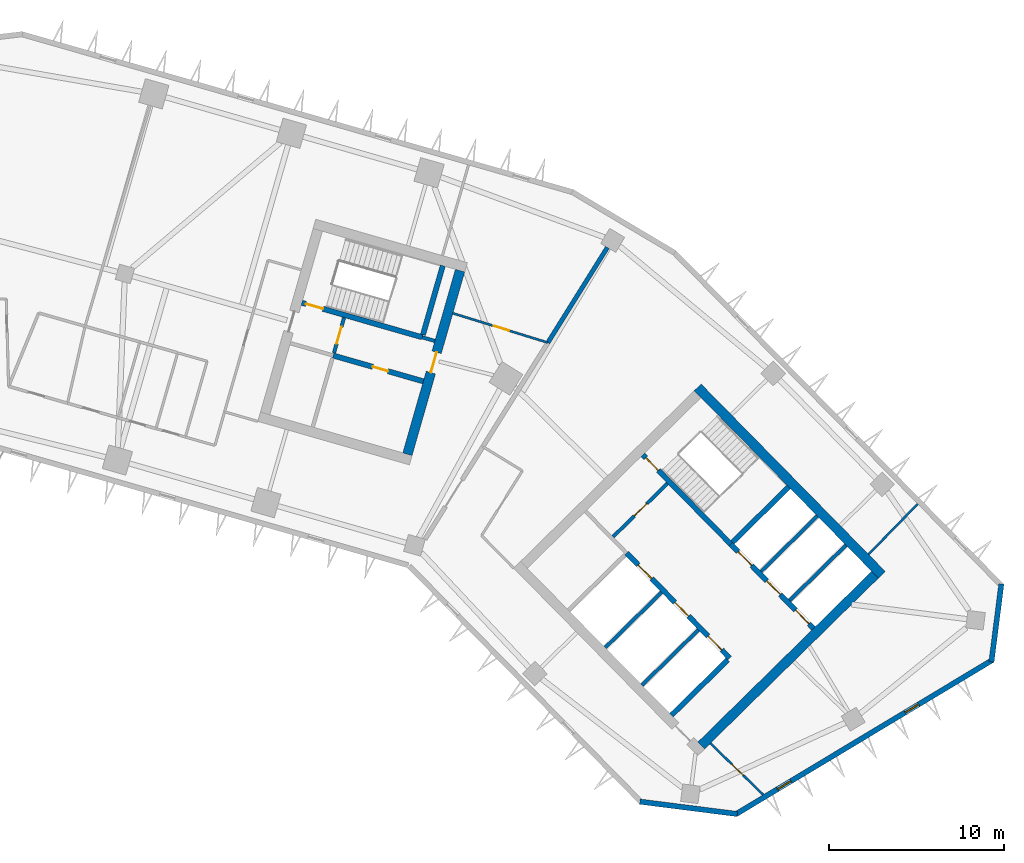
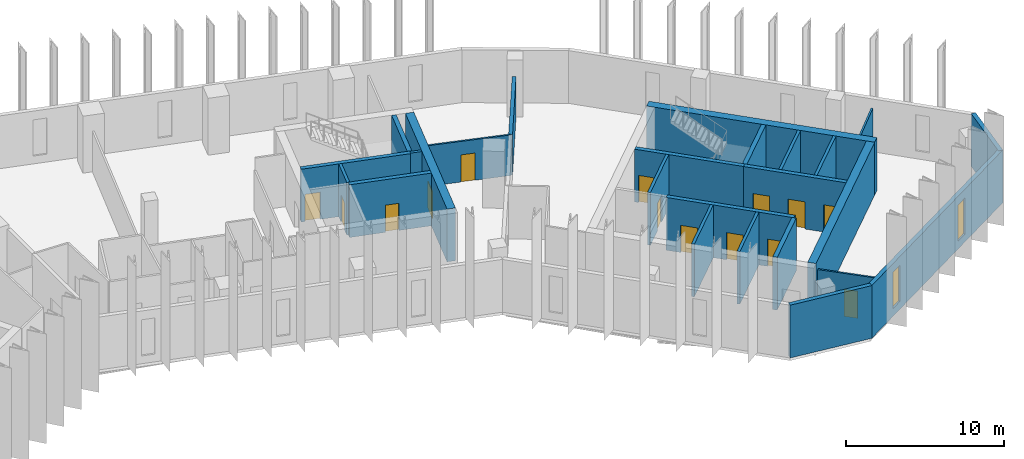
# One storey, part 6 of 11: 25 walls, 14 doors, 2 windows, 16 openings.
"""IFC4 building model written with IfcOpenShell, lengths in metres."""

from ifc_helpers import new_model, si_unit, direction, frame, frame_2d, origin, place, context, subcontext, project, spatial, rectangle, extrude, material, layer, layer_set, type_object, element, fill, save


model = new_model("IFC4")

# Units and contexts
model_context = context("Model", 3, precision=1e-05, world=origin(), true_north=direction((0.0, 1.0)))
body_context = subcontext(model_context, "Body", "Model", "MODEL_VIEW")
ifc_project = project(units=[si_unit("LENGTHUNIT", "METRE"), si_unit("AREAUNIT", "SQUARE_METRE"), si_unit("VOLUMEUNIT", "CUBIC_METRE"), si_unit("PLANEANGLEUNIT", "RADIAN"), si_unit("MASSUNIT", "GRAM", prefix="KILO")], contexts=[model_context])

# Site, building, storey
site_placement = place(None, origin())
site = spatial("IfcSite", under=ifc_project, at=site_placement, CompositionType="ELEMENT")
building_placement = place(site_placement, origin())
building = spatial("IfcBuilding", under=site, at=building_placement, Name="Binnacle Exchange Tower", CompositionType="ELEMENT")
storey_placement = place(building_placement, frame((0.0, 0.0, 114.699951171875)))
storey = spatial("IfcBuildingStorey", under=building, at=storey_placement, Name="L23", CompositionType="ELEMENT", Elevation=114.699951171875)

# Wall, openings, doors
ifc_material_1 = material(Name="Concrete C70/85", Category="concrete")
ifc_layer_1 = layer(ifc_material_1, 0.300048828125)
ifc_layer_set_1 = layer_set([ifc_layer_1], Name="Core wall - front 300")
wall_type_1 = type_object("IfcWallType", Name="Core wall - front 300", PredefinedType="SOLIDWALL", material=ifc_layer_set_1)
wall_1_placement = place(storey_placement, frame((37.8740234375, 41.41552734375, 0.0), z_axis=(0.0, 0.0, 1.0), x_axis=(0.700918271237, -0.71324159795, 0.0)))
wall_1 = element("IfcWall", 1, at=wall_1_placement, inside=storey, type_object=wall_type_1, Name="Core wall CRWB3", PredefinedType="SOLIDWALL", context=body_context, shape_type="SweptSolid", body=[
    extrude(rectangle(XDim=8.39990234375, YDim=0.300048828125, at=frame_2d((4.199951171875, 0.0))), origin(), (0.0, 0.0, 1.0), 4.080078125),
])
opening_1_placement = place(wall_1_placement, frame((0.949951171875, 0.0, 0.0)))
opening_1 = element("IfcOpeningElement", 2, at=opening_1_placement, cuts=wall_1, Name="Opening LD15", PredefinedType="OPENING", context=body_context, shape_type="SweptSolid", body=[
    extrude(rectangle(XDim=1.10009765625, YDim=2.10009765625, at=frame_2d((0.550048828125, 1.050048828125))), frame((0.0, 0.159912109375, 0.0), z_axis=(0.0, -1.0, 0.0), x_axis=(1.0, 0.0, 0.0)), (0.0, 0.0, 1.0), 0.320068359375),
])
opening_2_placement = place(wall_1_placement, frame((3.949951171875, 0.0, 0.0)))
opening_2 = element("IfcOpeningElement", 3, at=opening_2_placement, cuts=wall_1, Name="Opening LD16", PredefinedType="OPENING", context=body_context, shape_type="SweptSolid", body=[
    extrude(rectangle(XDim=1.10009765625, YDim=2.10009765625, at=frame_2d((0.550048828125, 1.050048828125))), frame((0.0, 0.159912109375, 0.0), z_axis=(0.0, -1.0, 0.0), x_axis=(1.0, 0.0, 0.0)), (0.0, 0.0, 1.0), 0.320068359375),
])
opening_3_placement = place(wall_1_placement, frame((6.64990234375, 0.0, 0.0)))
opening_3 = element("IfcOpeningElement", 4, at=opening_3_placement, cuts=wall_1, Name="Opening LD4", PredefinedType="OPENING", context=body_context, shape_type="SweptSolid", body=[
    extrude(rectangle(XDim=1.10009765625, YDim=2.10009765625, at=frame_2d((0.550048828125, 1.050048828125))), frame((0.0, 0.159912109375, 0.0), z_axis=(0.0, -1.0, 0.0), x_axis=(1.0, 0.0, 0.0)), (0.0, 0.0, 1.0), 0.320068359375),
])
ifc_material_2 = material(Name="Steel door leaf", Category="steel")
door_type_1 = type_object("IfcDoorType", Name="Fire door - lift landing 1100", OperationType="NOTDEFINED", PredefinedType="DOOR", material=ifc_material_2)
door_1_placement = place(opening_1_placement, origin())
door_1 = element("IfcDoor", 5, at=door_1_placement, inside=storey, type_object=door_type_1, Name="Landing door LD15 L23", OperationType="DOUBLE_DOOR_SLIDING", OverallHeight=2.10009765625, OverallWidth=1.10009765625, PredefinedType="DOOR", context=body_context, shape_type="SweptSolid", body=[
    extrude(rectangle(XDim=1.10009765625, YDim=2.10009765625, at=frame_2d((0.550048828125, 1.050048828125))), frame((0.0, 0.02490234375, 0.0), z_axis=(0.0, -1.0, 0.0), x_axis=(1.0, 0.0, 0.0)), (0.0, 0.0, 1.0), 0.050048828125),
])
fill(opening_1, door_1)
door_2_placement = place(opening_2_placement, origin())
door_2 = element("IfcDoor", 6, at=door_2_placement, inside=storey, type_object=door_type_1, Name="Landing door LD16 L23", OperationType="DOUBLE_DOOR_SLIDING", OverallHeight=2.10009765625, OverallWidth=1.10009765625, PredefinedType="DOOR", context=body_context, shape_type="SweptSolid", body=[
    extrude(rectangle(XDim=1.10009765625, YDim=2.10009765625, at=frame_2d((0.550048828125, 1.050048828125))), frame((0.0, 0.02490234375, 0.0), z_axis=(0.0, -1.0, 0.0), x_axis=(1.0, 0.0, 0.0)), (0.0, 0.0, 1.0), 0.050048828125),
])
fill(opening_2, door_2)
door_3_placement = place(opening_3_placement, origin())
door_3 = element("IfcDoor", 7, at=door_3_placement, inside=storey, type_object=door_type_1, Name="Landing door LD4 L23", OperationType="DOUBLE_DOOR_SLIDING", OverallHeight=2.10009765625, OverallWidth=1.10009765625, PredefinedType="DOOR", context=body_context, shape_type="SweptSolid", body=[
    extrude(rectangle(XDim=1.10009765625, YDim=2.10009765625, at=frame_2d((0.550048828125, 1.050048828125))), frame((0.0, 0.02490234375, 0.0), z_axis=(0.0, -1.0, 0.0), x_axis=(1.0, 0.0, 0.0)), (0.0, 0.0, 1.0), 0.050048828125),
])
fill(opening_3, door_3)

wall_2_placement = place(storey_placement, frame((43.818603515625, 41.92919921875, 0.0), z_axis=(0.0, 0.0, 1.0), x_axis=(0.700931209592, -0.713228882912, 0.0)))
wall_2 = element("IfcWall", 8, at=wall_2_placement, inside=storey, type_object=wall_type_1, Name="Core wall CRWB5", PredefinedType="SOLIDWALL", context=body_context, shape_type="SweptSolid", body=[
    extrude(rectangle(XDim=6.75, YDim=0.300048828125, at=frame_2d((3.375, 0.0))), origin(), (0.0, 0.0, 1.0), 4.080078125),
])
opening_4_placement = place(wall_2_placement, frame((0.614990234375, 0.0, 0.0)))
opening_4 = element("IfcOpeningElement", 9, at=opening_4_placement, cuts=wall_2, Name="Opening LD1", PredefinedType="OPENING", context=body_context, shape_type="SweptSolid", body=[
    extrude(rectangle(XDim=1.10009765625, YDim=2.10009765625, at=frame_2d((0.550048828125, 1.050048828125))), frame((0.0, 0.159912109375, 0.0), z_axis=(0.0, -1.0, 0.0), x_axis=(1.0, 0.0, 0.0)), (0.0, 0.0, 1.0), 0.320068359375),
])
opening_5_placement = place(wall_2_placement, frame((2.945068359375, 0.0, 0.0)))
opening_5 = element("IfcOpeningElement", 10, at=opening_5_placement, cuts=wall_2, Name="Opening LD2", PredefinedType="OPENING", context=body_context, shape_type="SweptSolid", body=[
    extrude(rectangle(XDim=1.10009765625, YDim=2.10009765625, at=frame_2d((0.550048828125, 1.050048828125))), frame((0.0, 0.159912109375, 0.0), z_axis=(0.0, -1.0, 0.0), x_axis=(1.0, 0.0, 0.0)), (0.0, 0.0, 1.0), 0.320068359375),
])
opening_6_placement = place(wall_2_placement, frame((5.280029296875, 0.0, 0.0)))
opening_6 = element("IfcOpeningElement", 11, at=opening_6_placement, cuts=wall_2, Name="Opening LD3", PredefinedType="OPENING", context=body_context, shape_type="SweptSolid", body=[
    extrude(rectangle(XDim=1.10009765625, YDim=2.10009765625, at=frame_2d((0.550048828125, 1.050048828125))), frame((0.0, 0.159912109375, 0.0), z_axis=(0.0, -1.0, 0.0), x_axis=(1.0, 0.0, 0.0)), (0.0, 0.0, 1.0), 0.320068359375),
])
door_4_placement = place(opening_4_placement, origin())
door_4 = element("IfcDoor", 12, at=door_4_placement, inside=storey, type_object=door_type_1, Name="Landing door LD1 L23", OperationType="DOUBLE_DOOR_SLIDING", OverallHeight=2.10009765625, OverallWidth=1.10009765625, PredefinedType="DOOR", context=body_context, shape_type="SweptSolid", body=[
    extrude(rectangle(XDim=1.10009765625, YDim=2.10009765625, at=frame_2d((0.550048828125, 1.050048828125))), frame((0.0, 0.02490234375, 0.0), z_axis=(0.0, -1.0, 0.0), x_axis=(1.0, 0.0, 0.0)), (0.0, 0.0, 1.0), 0.050048828125),
])
fill(opening_4, door_4)
door_5_placement = place(opening_5_placement, origin())
door_5 = element("IfcDoor", 13, at=door_5_placement, inside=storey, type_object=door_type_1, Name="Landing door LD2 L23", OperationType="DOUBLE_DOOR_SLIDING", OverallHeight=2.10009765625, OverallWidth=1.10009765625, PredefinedType="DOOR", context=body_context, shape_type="SweptSolid", body=[
    extrude(rectangle(XDim=1.10009765625, YDim=2.10009765625, at=frame_2d((0.550048828125, 1.050048828125))), frame((0.0, 0.02490234375, 0.0), z_axis=(0.0, -1.0, 0.0), x_axis=(1.0, 0.0, 0.0)), (0.0, 0.0, 1.0), 0.050048828125),
])
fill(opening_5, door_5)
door_6_placement = place(opening_6_placement, origin())
door_6 = element("IfcDoor", 14, at=door_6_placement, inside=storey, type_object=door_type_1, Name="Landing door LD3 L23", OperationType="DOUBLE_DOOR_SLIDING", OverallHeight=2.10009765625, OverallWidth=1.10009765625, PredefinedType="DOOR", context=body_context, shape_type="SweptSolid", body=[
    extrude(rectangle(XDim=1.10009765625, YDim=2.10009765625, at=frame_2d((0.550048828125, 1.050048828125))), frame((0.0, 0.02490234375, 0.0), z_axis=(0.0, -1.0, 0.0), x_axis=(1.0, 0.0, 0.0)), (0.0, 0.0, 1.0), 0.050048828125),
])
fill(opening_6, door_6)

# Wall
wall_3_placement = place(storey_placement, frame((40.445068359375, 32.1650390625, 0.0), z_axis=(0.0, 0.0, 1.0), x_axis=(0.713264577552, 0.700894886848, 0.0)))
element("IfcWall", 15, at=wall_3_placement, inside=storey, type_object=wall_type_1, Name="Core wall CRWB14", PredefinedType="SOLIDWALL", context=body_context, shape_type="SweptSolid", body=[
    extrude(rectangle(XDim=4.5, YDim=0.300048828125, at=frame_2d((2.25, 0.0))), origin(), (0.0, 0.0, 1.0), 4.080078125),
])

# Wall, opening, door
wall_4_placement = place(storey_placement, frame((21.130859375, 52.6923828125, 0.0), z_axis=(0.0, 0.0, 1.0), x_axis=(0.961265220997, -0.27562506218, 0.0)))
wall_4 = element("IfcWall", 16, at=wall_4_placement, inside=storey, type_object=wall_type_1, Name="Core wall CRWD3", PredefinedType="SOLIDWALL", context=body_context, shape_type="SweptSolid", body=[
    extrude(rectangle(XDim=5.35009765625, YDim=0.300048828125, at=frame_2d((2.675048828125, 0.0))), origin(), (0.0, 0.0, 1.0), 4.080078125),
])
opening_7_placement = place(wall_4_placement, frame((2.35009765625, 0.0, 0.0)))
opening_7 = element("IfcOpeningElement", 17, at=opening_7_placement, cuts=wall_4, Name="Opening DD10", PredefinedType="OPENING", context=body_context, shape_type="SweptSolid", body=[
    extrude(rectangle(XDim=0.89990234375, YDim=2.10009765625, at=frame_2d((0.449951171875, 1.050048828125))), frame((0.0, 0.159912109375, 0.0), z_axis=(0.0, -1.0, 0.0), x_axis=(1.0, 0.0, 0.0)), (0.0, 0.0, 1.0), 0.320068359375),
])
door_type_2 = type_object("IfcDoorType", Name="Fire door 900", OperationType="NOTDEFINED", PredefinedType="DOOR", material=ifc_material_2)
door_7_placement = place(opening_7_placement, frame((0.89990234375, 0.0, 0.0), z_axis=(0.0, 0.0, 1.0), x_axis=(-1.0, 0.0, 0.0)))
door_7 = element("IfcDoor", 18, at=door_7_placement, inside=storey, type_object=door_type_2, Name="Core room door PANTRY", OperationType="SINGLE_SWING_LEFT", OverallHeight=2.10009765625, OverallWidth=0.89990234375, PredefinedType="DOOR", context=body_context, shape_type="SweptSolid", body=[
    extrude(rectangle(XDim=0.89990234375, YDim=2.10009765625, at=frame_2d((0.449951171875, 1.050048828125))), frame((0.0, 0.02490234375, 0.0), z_axis=(0.0, -1.0, 0.0), x_axis=(1.0, 0.0, 0.0)), (0.0, 0.0, 1.0), 0.050048828125),
])
fill(opening_7, door_7)

# Walls
ifc_layer_2 = layer(ifc_material_1, 0.550048828125)
ifc_layer_set_2 = layer_set([ifc_layer_2], Name="Core wall - outer 550")
wall_type_2 = type_object("IfcWallType", Name="Core wall - outer 550", PredefinedType="SOLIDWALL", material=ifc_layer_set_2)
wall_5_placement = place(storey_placement, frame((41.934326171875, 50.873291015625, 0.0), z_axis=(0.0, 0.0, 1.0), x_axis=(0.700911255944, -0.713248491965, 0.0)))
element("IfcWall", 19, at=wall_5_placement, inside=storey, type_object=wall_type_2, Name="Core wall CRWB6", PredefinedType="SOLIDWALL", context=body_context, shape_type="SweptSolid", body=[
    extrude(rectangle(XDim=15.0, YDim=0.550048828125, at=frame_2d((7.5, 0.0))), origin(), (0.0, 0.0, 1.0), 4.080078125),
])
wall_6_placement = place(storey_placement, frame((42.144775390625, 30.435302734375, 0.0), z_axis=(0.0, 0.0, 1.0), x_axis=(0.713253550094, 0.700906108746, 0.0)))
element("IfcWall", 20, at=wall_6_placement, inside=storey, type_object=wall_type_2, Name="Core wall CRWB16", PredefinedType="SOLIDWALL", context=body_context, shape_type="SweptSolid", body=[
    extrude(rectangle(XDim=13.900146484375, YDim=0.550048828125, at=frame_2d((6.9501953125, 0.0))), origin(), (0.0, 0.0, 1.0), 4.080078125),
])

# Wall, opening, door
wall_7_placement = place(storey_placement, frame((25.366455078125, 47.056640625, 0.0), z_axis=(0.0, 0.0, 1.0), x_axis=(0.275632146085, 0.96126318979, 0.0)))
wall_7 = element("IfcWall", 21, at=wall_7_placement, inside=storey, type_object=wall_type_2, Name="Core wall CRWD12", PredefinedType="SOLIDWALL", context=body_context, shape_type="SweptSolid", body=[
    extrude(rectangle(XDim=10.89990234375, YDim=0.550048828125, at=frame_2d((5.449951171875, 0.0))), origin(), (0.0, 0.0, 1.0), 4.080078125),
])
opening_8_placement = place(wall_7_placement, frame((4.849853515625, 0.0, 0.0)))
opening_8 = element("IfcOpeningElement", 22, at=opening_8_placement, cuts=wall_7, Name="Opening DD6", PredefinedType="OPENING", context=body_context, shape_type="SweptSolid", body=[
    extrude(rectangle(XDim=1.199951171875, YDim=2.10009765625, at=frame_2d((0.60009765625, 1.050048828125))), frame((0.0, 0.284912109375, 0.0), z_axis=(0.0, -1.0, 0.0), x_axis=(1.0, 0.0, 0.0)), (0.0, 0.0, 1.0), 0.570068359375),
])
door_type_3 = type_object("IfcDoorType", Name="Fire door 1200", OperationType="NOTDEFINED", PredefinedType="DOOR", material=ifc_material_2)
door_8_placement = place(opening_8_placement, frame((1.199951171875, 0.0, 0.0), z_axis=(0.0, 0.0, 1.0), x_axis=(-1.0, 0.0, 0.0)))
door_8 = element("IfcDoor", 23, at=door_8_placement, inside=storey, type_object=door_type_3, Name="Core passage exit door", OperationType="SINGLE_SWING_RIGHT", OverallHeight=2.10009765625, OverallWidth=1.199951171875, PredefinedType="DOOR", context=body_context, shape_type="SweptSolid", body=[
    extrude(rectangle(XDim=1.199951171875, YDim=2.10009765625, at=frame_2d((0.60009765625, 1.050048828125))), frame((0.0, 0.02490234375, 0.0), z_axis=(0.0, -1.0, 0.0), x_axis=(1.0, 0.0, 0.0)), (0.0, 0.0, 1.0), 0.050048828125),
])
fill(opening_8, door_8)

ifc_layer_3 = layer(ifc_material_1, 0.300048828125)
ifc_layer_set_3 = layer_set([ifc_layer_3], Name="Core wall - stair 300")
wall_type_3 = type_object("IfcWallType", Name="Core wall - stair 300", PredefinedType="SOLIDWALL", material=ifc_layer_set_3)
wall_8_placement = place(storey_placement, frame((38.806884765625, 47.029052734375, 0.0), z_axis=(0.0, 0.0, 1.0), x_axis=(0.700916852778, -0.713242991898, 0.0)))
wall_8 = element("IfcWall", 24, at=wall_8_placement, inside=storey, type_object=wall_type_3, Name="Core wall CRWB4", PredefinedType="SOLIDWALL", context=body_context, shape_type="SweptSolid", body=[
    extrude(rectangle(XDim=7.150146484375, YDim=0.300048828125, at=frame_2d((3.5751953125, 0.0))), origin(), (0.0, 0.0, 1.0), 4.080078125),
])
opening_9_placement = place(wall_8_placement, frame((0.25, 0.0, 0.0)))
opening_9 = element("IfcOpeningElement", 25, at=opening_9_placement, cuts=wall_8, Name="Opening DB1", PredefinedType="OPENING", context=body_context, shape_type="SweptSolid", body=[
    extrude(rectangle(XDim=1.0, YDim=2.10009765625, at=frame_2d((0.5, 1.050048828125))), frame((0.0, 0.159912109375, 0.0), z_axis=(0.0, -1.0, 0.0), x_axis=(1.0, 0.0, 0.0)), (0.0, 0.0, 1.0), 0.320068359375),
])
door_type_4 = type_object("IfcDoorType", Name="Fire door 1000", OperationType="NOTDEFINED", PredefinedType="DOOR", material=ifc_material_2)
door_9_placement = place(opening_9_placement, origin())
door_9 = element("IfcDoor", 26, at=door_9_placement, inside=storey, type_object=door_type_4, Name="Stair door ST-B1", OperationType="SINGLE_SWING_LEFT", OverallHeight=2.10009765625, OverallWidth=1.0, PredefinedType="DOOR", context=body_context, shape_type="SweptSolid", body=[
    extrude(rectangle(XDim=1.0, YDim=2.10009765625, at=frame_2d((0.5, 1.050048828125))), frame((0.0, 0.02490234375, 0.0), z_axis=(0.0, -1.0, 0.0), x_axis=(1.0, 0.0, 0.0)), (0.0, 0.0, 1.0), 0.050048828125),
])
fill(opening_9, door_9)

# Wall
wall_9_placement = place(storey_placement, frame((43.925537109375, 42.034423828125, 0.0), z_axis=(0.0, 0.0, 1.0), x_axis=(0.713210801054, 0.700949608217, 0.0)))
element("IfcWall", 27, at=wall_9_placement, inside=storey, type_object=wall_type_3, Name="Core wall CRWB11", PredefinedType="SOLIDWALL", context=body_context, shape_type="SweptSolid", body=[
    extrude(rectangle(XDim=4.5, YDim=0.300048828125, at=frame_2d((2.25, 0.0))), origin(), (0.0, 0.0, 1.0), 4.080078125),
])

# Wall, opening, door
wall_10_placement = place(storey_placement, frame((19.34130859375, 55.702392578125, 0.0), z_axis=(0.0, 0.0, 1.0), x_axis=(0.961263228157, -0.27563201228, 0.0)))
wall_10 = element("IfcWall", 28, at=wall_10_placement, inside=storey, type_object=wall_type_3, Name="Core wall CRWD4", PredefinedType="SOLIDWALL", context=body_context, shape_type="SweptSolid", body=[
    extrude(rectangle(XDim=7.149658203125, YDim=0.300048828125, at=frame_2d((3.57470703125, 0.0))), origin(), (0.0, 0.0, 1.0), 4.080078125),
])
opening_10_placement = place(wall_10_placement, frame((0.25, 0.0, 0.0)))
opening_10 = element("IfcOpeningElement", 29, at=opening_10_placement, cuts=wall_10, Name="Opening DD1", PredefinedType="OPENING", context=body_context, shape_type="SweptSolid", body=[
    extrude(rectangle(XDim=1.0, YDim=2.10009765625, at=frame_2d((0.5, 1.050048828125))), frame((0.0, 0.159912109375, 0.0), z_axis=(0.0, -1.0, 0.0), x_axis=(1.0, 0.0, 0.0)), (0.0, 0.0, 1.0), 0.320068359375),
])
door_10_placement = place(opening_10_placement, origin())
door_10 = element("IfcDoor", 30, at=door_10_placement, inside=storey, type_object=door_type_4, Name="Stair door ST-D1", OperationType="SINGLE_SWING_LEFT", OverallHeight=2.10009765625, OverallWidth=1.0, PredefinedType="DOOR", context=body_context, shape_type="SweptSolid", body=[
    extrude(rectangle(XDim=1.0, YDim=2.10009765625, at=frame_2d((0.5, 1.050048828125))), frame((0.0, 0.02490234375, 0.0), z_axis=(0.0, -1.0, 0.0), x_axis=(1.0, 0.0, 0.0)), (0.0, 0.0, 1.0), 0.050048828125),
])
fill(opening_10, door_10)

# Walls
wall_11_placement = place(storey_placement, frame((26.255615234375, 53.875732421875, 0.0), z_axis=(0.0, 0.0, 1.0), x_axis=(0.275641165445, 0.961260603537, 0.0)))
element("IfcWall", 31, at=wall_11_placement, inside=storey, type_object=wall_type_3, Name="Core wall CRWD11", PredefinedType="SOLIDWALL", context=body_context, shape_type="SweptSolid", body=[
    extrude(rectangle(XDim=4.10009765625, YDim=0.300048828125, at=frame_2d((2.050048828125, 0.0))), origin(), (0.0, 0.0, 1.0), 4.080078125),
])
ifc_material_3 = material(Name="Bronze aluminium cladding", Category="aluminium")
ifc_layer_4 = layer(ifc_material_3, 0.300048828125)
ifc_layer_set_4 = layer_set([ifc_layer_4], Name="External wall - spandrel 300")
wall_type_4 = type_object("IfcWallType", Name="External wall - spandrel 300", PredefinedType="STANDARD", material=ifc_layer_set_4)
wall_12_placement = place(storey_placement, frame((44.19580078125, 26.517822265625, 0.0), z_axis=(0.0, 0.0, 1.0), x_axis=(-0.992001881269, 0.126223086474, 0.0)))
element("IfcWall", 32, at=wall_12_placement, inside=storey, type_object=wall_type_4, Name="External wall EW-F10 L23", PredefinedType="STANDARD", context=body_context, shape_type="SweptSolid", body=[
    extrude(rectangle(XDim=5.6015625, YDim=0.300048828125, at=frame_2d((2.80078125, 0.0))), origin(), (0.0, 0.0, 1.0), 4.080078125),
])

# Wall, openings, windows
wall_13_placement = place(storey_placement, frame((58.7783203125, 35.317626953125, 0.0), z_axis=(0.0, 0.0, 1.0), x_axis=(-0.857168206138, -0.515036568009, 0.0)))
wall_13 = element("IfcWall", 33, at=wall_13_placement, inside=storey, type_object=wall_type_4, Name="External wall EW-F11 L23", PredefinedType="STANDARD", context=body_context, shape_type="SweptSolid", body=[
    extrude(rectangle(XDim=17.124755859375, YDim=0.300048828125, at=frame_2d((8.5625, 0.0))), origin(), (0.0, 0.0, 1.0), 4.080078125),
])
opening_11_placement = place(wall_13_placement, frame((13.435302734375, 0.0, 0.60009765625)))
opening_11 = element("IfcOpeningElement", 34, at=opening_11_placement, cuts=wall_13, Name="Opening WS2", PredefinedType="OPENING", context=body_context, shape_type="SweptSolid", body=[
    extrude(rectangle(XDim=0.89990234375, YDim=2.800048828125, at=frame_2d((0.449951171875, 1.39990234375))), frame((0.0, 0.159912109375, 0.0), z_axis=(0.0, -1.0, 0.0), x_axis=(1.0, 0.0, 0.0)), (0.0, 0.0, 1.0), 0.320068359375),
])
opening_12_placement = place(wall_13_placement, frame((4.935302734375, 0.0, 0.60009765625)))
opening_12 = element("IfcOpeningElement", 35, at=opening_12_placement, cuts=wall_13, Name="Opening WS2", PredefinedType="OPENING", context=body_context, shape_type="SweptSolid", body=[
    extrude(rectangle(XDim=0.89990234375, YDim=2.800048828125, at=frame_2d((0.449951171875, 1.39990234375))), frame((0.0, 0.159912109375, 0.0), z_axis=(0.0, -1.0, 0.0), x_axis=(1.0, 0.0, 0.0)), (0.0, 0.0, 1.0), 0.320068359375),
])
ifc_material_4 = material(Name="Bronze anodised aluminium frame", Category="aluminium")
window_type = type_object("IfcWindowType", Name="WS2 WINDOW 900x2800", PartitioningType="SINGLE_PANEL", PredefinedType="WINDOW", material=ifc_material_4)
window_1_placement = place(opening_11_placement, origin())
window_1 = element("IfcWindow", 36, at=window_1_placement, inside=storey, type_object=window_type, Name="Window WS2 L23", OverallHeight=2.800048828125, OverallWidth=0.89990234375, PartitioningType="SINGLE_PANEL", PredefinedType="WINDOW", context=body_context, shape_type="SweptSolid", body=[
    extrude(rectangle(XDim=0.89990234375, YDim=2.800048828125, at=frame_2d((0.449951171875, 1.39990234375))), frame((0.0, 0.030029296875, 0.0), z_axis=(0.0, -1.0, 0.0), x_axis=(1.0, 0.0, 0.0)), (0.0, 0.0, 1.0), 0.06005859375),
])
fill(opening_11, window_1)
window_2_placement = place(opening_12_placement, origin())
window_2 = element("IfcWindow", 37, at=window_2_placement, inside=storey, type_object=window_type, Name="Window WS2 L23", OverallHeight=2.800048828125, OverallWidth=0.89990234375, PartitioningType="SINGLE_PANEL", PredefinedType="WINDOW", context=body_context, shape_type="SweptSolid", body=[
    extrude(rectangle(XDim=0.89990234375, YDim=2.800048828125, at=frame_2d((0.449951171875, 1.39990234375))), frame((0.0, 0.030029296875, 0.0), z_axis=(0.0, -1.0, 0.0), x_axis=(1.0, 0.0, 0.0)), (0.0, 0.0, 1.0), 0.06005859375),
])
fill(opening_12, window_2)

# Walls
wall_14_placement = place(storey_placement, frame((59.27197265625, 39.6513671875, 0.0), z_axis=(0.0, 0.0, 1.0), x_axis=(-0.126181137886, -0.992007217938, 0.0)))
element("IfcWall", 38, at=wall_14_placement, inside=storey, type_object=wall_type_4, Name="External wall EW-F12 L23", PredefinedType="STANDARD", context=body_context, shape_type="SweptSolid", body=[
    extrude(rectangle(XDim=4.479248046875, YDim=0.300048828125, at=frame_2d((2.23974609375, 0.0))), origin(), (0.0, 0.0, 1.0), 4.080078125),
])
ifc_material_5 = material(Name="Concrete fire wall C30/37", Category="concrete")
ifc_layer_5 = layer(ifc_material_5, 0.25)
ifc_layer_set_5 = layer_set([ifc_layer_5], Name="Fire wall - compartment 250")
wall_type_5 = type_object("IfcWallType", Name="Fire wall - compartment 250", PredefinedType="PARTITIONING", material=ifc_layer_set_5)
wall_15_placement = place(storey_placement, frame((33.385009765625, 53.427001953125, 0.0), z_axis=(0.0, 0.0, 1.0), x_axis=(0.52989620904, 0.848062502204, 0.0)))
element("IfcWall", 39, at=wall_15_placement, inside=storey, type_object=wall_type_5, Name="Fire Wall W39", PredefinedType="PARTITIONING", context=body_context, shape_type="SweptSolid", body=[
    extrude(rectangle(XDim=6.40869140625, YDim=0.25, at=frame_2d((3.204345703125, 0.0))), origin(), (0.0, 0.0, 1.0), 3.14208984375),
])

# Wall, opening, door
ifc_material_6 = material(Name="Masonry block wall", Category="masonry")
ifc_layer_6 = layer(ifc_material_6, 0.199951171875)
ifc_layer_set_6 = layer_set([ifc_layer_6], Name="Fire wall - vestibule 200")
wall_type_6 = type_object("IfcWallType", Name="Fire wall - vestibule 200", PredefinedType="PARTITIONING", material=ifc_layer_set_6)
wall_16_placement = place(storey_placement, frame((37.104248046875, 42.341552734375, 0.0), z_axis=(0.0, 0.0, 1.0), x_axis=(0.713281298468, 0.700877870428, 0.0)))
wall_16 = element("IfcWall", 40, at=wall_16_placement, inside=storey, type_object=wall_type_6, Name="Core wall CRWB8", PredefinedType="PARTITIONING", context=body_context, shape_type="SweptSolid", body=[
    extrude(rectangle(XDim=4.35009765625, YDim=0.199951171875, at=frame_2d((2.175048828125, 0.0))), origin(), (0.0, 0.0, 1.0), 4.080078125),
])
opening_13_placement = place(wall_16_placement, frame((1.699951171875, 0.0, 0.0)))
opening_13 = element("IfcOpeningElement", 41, at=opening_13_placement, cuts=wall_16, Name="Opening DB3", PredefinedType="OPENING", context=body_context, shape_type="SweptSolid", body=[
    extrude(rectangle(XDim=1.0, YDim=2.10009765625, at=frame_2d((0.5, 1.050048828125))), frame((0.0, 0.10986328125, 0.0), z_axis=(0.0, -1.0, 0.0), x_axis=(1.0, 0.0, 0.0)), (0.0, 0.0, 1.0), 0.219970703125),
])
door_11_placement = place(opening_13_placement, origin())
door_11 = element("IfcDoor", 42, at=door_11_placement, inside=storey, type_object=door_type_4, Name="Vestibule door VEST-W", OperationType="SINGLE_SWING_RIGHT", OverallHeight=2.10009765625, OverallWidth=1.0, PredefinedType="DOOR", context=body_context, shape_type="SweptSolid", body=[
    extrude(rectangle(XDim=1.0, YDim=2.10009765625, at=frame_2d((0.5, 1.050048828125))), frame((0.0, 0.02490234375, 0.0), z_axis=(0.0, -1.0, 0.0), x_axis=(1.0, 0.0, 0.0)), (0.0, 0.0, 1.0), 0.050048828125),
])
fill(opening_13, door_11)

wall_17_placement = place(storey_placement, frame((21.172119140625, 52.836669921875, 0.0), z_axis=(0.0, 0.0, 1.0), x_axis=(0.275657676022, 0.961255868981, 0.0)))
wall_17 = element("IfcWall", 43, at=wall_17_placement, inside=storey, type_object=wall_type_6, Name="Core wall CRWD9", PredefinedType="PARTITIONING", context=body_context, shape_type="SweptSolid", body=[
    extrude(rectangle(XDim=2.099853515625, YDim=0.199951171875, at=frame_2d((1.0498046875, 0.0))), origin(), (0.0, 0.0, 1.0), 4.080078125),
])
opening_14_placement = place(wall_17_placement, frame((0.550048828125, 0.0, 0.0)))
opening_14 = element("IfcOpeningElement", 44, at=opening_14_placement, cuts=wall_17, Name="Opening DD3", PredefinedType="OPENING", context=body_context, shape_type="SweptSolid", body=[
    extrude(rectangle(XDim=1.0, YDim=2.10009765625, at=frame_2d((0.5, 1.050048828125))), frame((0.0, 0.10986328125, 0.0), z_axis=(0.0, -1.0, 0.0), x_axis=(1.0, 0.0, 0.0)), (0.0, 0.0, 1.0), 0.219970703125),
])
door_12_placement = place(opening_14_placement, origin())
door_12 = element("IfcDoor", 45, at=door_12_placement, inside=storey, type_object=door_type_4, Name="Vestibule door VEST-W", OperationType="SINGLE_SWING_RIGHT", OverallHeight=2.10009765625, OverallWidth=1.0, PredefinedType="DOOR", context=body_context, shape_type="SweptSolid", body=[
    extrude(rectangle(XDim=1.0, YDim=2.10009765625, at=frame_2d((0.5, 1.050048828125))), frame((0.0, 0.02490234375, 0.0), z_axis=(0.0, -1.0, 0.0), x_axis=(1.0, 0.0, 0.0)), (0.0, 0.0, 1.0), 0.050048828125),
])
fill(opening_14, door_12)

ifc_material_7 = material(Name="Gypsum partition")
ifc_layer_7 = layer(ifc_material_7, 0.125)
ifc_layer_set_7 = layer_set([ifc_layer_7], Name="Partition 125")
wall_type_7 = type_object("IfcWallType", Name="Partition 125", PredefinedType="PARTITIONING", material=ifc_layer_set_7)
wall_18_placement = place(storey_placement, frame((27.9599609375, 55.10302734375, 0.0), z_axis=(0.0, 0.0, 1.0), x_axis=(0.955442775069, -0.29517639399, 0.0)))
wall_18 = element("IfcWall", 46, at=wall_18_placement, inside=storey, type_object=wall_type_7, Name="Partition W34", PredefinedType="PARTITIONING", context=body_context, shape_type="SweptSolid", body=[
    extrude(rectangle(XDim=5.677978515625, YDim=0.125, at=frame_2d((2.8388671875, 0.0))), origin(), (0.0, 0.0, 1.0), 3.14208984375),
])
opening_15_placement = place(wall_18_placement, frame((2.449951171875, 0.0, 0.0)))
opening_15 = element("IfcOpeningElement", 47, at=opening_15_placement, cuts=wall_18, Name="Opening DL22-09", PredefinedType="OPENING", context=body_context, shape_type="SweptSolid", body=[
    extrude(rectangle(XDim=0.89990234375, YDim=2.10009765625, at=frame_2d((0.449951171875, 1.050048828125))), frame((0.0, 0.072509765625, 0.0), z_axis=(0.0, -1.0, 0.0), x_axis=(1.0, 0.0, 0.0)), (0.0, 0.0, 1.0), 0.14501953125),
])
ifc_material_8 = material(Name="Timber door leaf", Category="wood")
door_type_5 = type_object("IfcDoorType", Name="Door 900", OperationType="NOTDEFINED", PredefinedType="DOOR", material=ifc_material_8)
door_13_placement = place(opening_15_placement, origin())
door_13 = element("IfcDoor", 48, at=door_13_placement, inside=storey, type_object=door_type_5, Name="Door DL22-09", OperationType="SINGLE_SWING_RIGHT", OverallHeight=2.10009765625, OverallWidth=0.89990234375, PredefinedType="DOOR", context=body_context, shape_type="SweptSolid", body=[
    extrude(rectangle(XDim=0.89990234375, YDim=2.10009765625, at=frame_2d((0.449951171875, 1.050048828125))), frame((0.0, 0.02490234375, 0.0), z_axis=(0.0, -1.0, 0.0), x_axis=(1.0, 0.0, 0.0)), (0.0, 0.0, 1.0), 0.050048828125),
])
fill(opening_15, door_13)

wall_19_placement = place(storey_placement, frame((42.658935546875, 30.554931640625, 0.0), z_axis=(0.0, 0.0, 1.0), x_axis=(0.716925671772, -0.697149611743, 0.0)))
wall_19 = element("IfcWall", 49, at=wall_19_placement, inside=storey, type_object=wall_type_7, Name="Partition W40", PredefinedType="PARTITIONING", context=body_context, shape_type="SweptSolid", body=[
    extrude(rectangle(XDim=4.209716796875, YDim=0.125, at=frame_2d((2.10498046875, 0.0))), origin(), (0.0, 0.0, 1.0), 3.35205078125),
])
opening_16_placement = place(wall_19_placement, frame((1.699951171875, 0.0, 0.0)))
opening_16 = element("IfcOpeningElement", 50, at=opening_16_placement, cuts=wall_19, Name="Opening DL22-11", PredefinedType="OPENING", context=body_context, shape_type="SweptSolid", body=[
    extrude(rectangle(XDim=0.89990234375, YDim=2.10009765625, at=frame_2d((0.449951171875, 1.050048828125))), frame((0.0, 0.072509765625, 0.0), z_axis=(0.0, -1.0, 0.0), x_axis=(1.0, 0.0, 0.0)), (0.0, 0.0, 1.0), 0.14501953125),
])
door_14_placement = place(opening_16_placement, origin())
door_14 = element("IfcDoor", 51, at=door_14_placement, inside=storey, type_object=door_type_5, Name="Door DL22-11", OperationType="SINGLE_SWING_RIGHT", OverallHeight=2.10009765625, OverallWidth=0.89990234375, PredefinedType="DOOR", context=body_context, shape_type="SweptSolid", body=[
    extrude(rectangle(XDim=0.89990234375, YDim=2.10009765625, at=frame_2d((0.449951171875, 1.050048828125))), frame((0.0, 0.02490234375, 0.0), z_axis=(0.0, -1.0, 0.0), x_axis=(1.0, 0.0, 0.0)), (0.0, 0.0, 1.0), 0.050048828125),
])
fill(opening_16, door_14)

# Walls
wall_20_placement = place(storey_placement, frame((51.68798828125, 41.340087890625, 0.0), z_axis=(0.0, 0.0, 1.0), x_axis=(0.698090794369, 0.716009247718, 0.0)))
element("IfcWall", 52, at=wall_20_placement, inside=storey, type_object=wall_type_7, Name="Partition W41", PredefinedType="PARTITIONING", context=body_context, shape_type="SweptSolid", body=[
    extrude(rectangle(XDim=4.019287109375, YDim=0.125, at=frame_2d((2.009765625, 0.0))), origin(), (0.0, 0.0, 1.0), 3.360107421875),
])
ifc_layer_8 = layer(ifc_material_6, 0.199951171875)
ifc_layer_set_8 = layer_set([ifc_layer_8], Name="Riser wall 200")
wall_type_8 = type_object("IfcWallType", Name="Riser wall 200", PredefinedType="SOLIDWALL", material=ifc_layer_set_8)
wall_21_placement = place(storey_placement, frame((26.214111328125, 53.731689453125, 0.0), z_axis=(0.0, 0.0, 1.0), x_axis=(0.961240918172, -0.275709806194, 0.0)))
element("IfcWall", 53, at=wall_21_placement, inside=storey, type_object=wall_type_8, Name="Core wall CRWD5", PredefinedType="SOLIDWALL", context=body_context, shape_type="SweptSolid", body=[
    extrude(rectangle(XDim=0.75, YDim=0.199951171875, at=frame_2d((0.375, 0.0))), origin(), (0.0, 0.0, 1.0), 4.080078125),
])
ifc_layer_9 = layer(ifc_material_6, 0.199951171875)
ifc_layer_set_9 = layer_set([ifc_layer_9], Name="Shaft wall 200")
wall_type_9 = type_object("IfcWallType", Name="Shaft wall 200", PredefinedType="SOLIDWALL", material=ifc_layer_set_9)
wall_22_placement = place(storey_placement, frame((36.66015625, 36.0166015625, 0.0), z_axis=(0.0, 0.0, 1.0), x_axis=(0.713264577552, 0.700894886848, 0.0)))
element("IfcWall", 54, at=wall_22_placement, inside=storey, type_object=wall_type_9, Name="Core wall CRWB10", PredefinedType="SOLIDWALL", context=body_context, shape_type="SweptSolid", body=[
    extrude(rectangle(XDim=4.5, YDim=0.199951171875, at=frame_2d((2.25, 0.0))), origin(), (0.0, 0.0, 1.0), 4.080078125),
])
wall_23_placement = place(storey_placement, frame((38.762939453125, 33.876708984375, 0.0), z_axis=(0.0, 0.0, 1.0), x_axis=(0.713237455685, 0.700922486305, 0.0)))
element("IfcWall", 55, at=wall_23_placement, inside=storey, type_object=wall_type_9, Name="Core wall CRWB12", PredefinedType="SOLIDWALL", context=body_context, shape_type="SweptSolid", body=[
    extrude(rectangle(XDim=4.500244140625, YDim=0.199951171875, at=frame_2d((2.25, 0.0))), origin(), (0.0, 0.0, 1.0), 4.080078125),
])
for number, where, z_axis, x_axis, name in (
    (56, (45.55859375, 40.37255859375, 0.0), (0.0, 0.0, 1.0), (0.713264577552, 0.700894886848, 0.0), "Core wall CRWB13"),
    (57, (47.191650390625, 38.710693359375, 0.0), (0.0, 0.0, 1.0), (0.713264577552, 0.700894886848, 0.0), "Core wall CRWB15"),
):
    element("IfcWall", number, at=place(storey_placement, frame(where, z_axis=z_axis, x_axis=x_axis)), inside=storey, type_object=wall_type_9, Name=name, PredefinedType="SOLIDWALL", context=body_context, shape_type="SweptSolid", body=[
        extrude(rectangle(XDim=4.5, YDim=0.199951171875, at=frame_2d((2.25, 0.0))), origin(), (0.0, 0.0, 1.0), 4.080078125),
    ])

save(model, "model.ifc")
